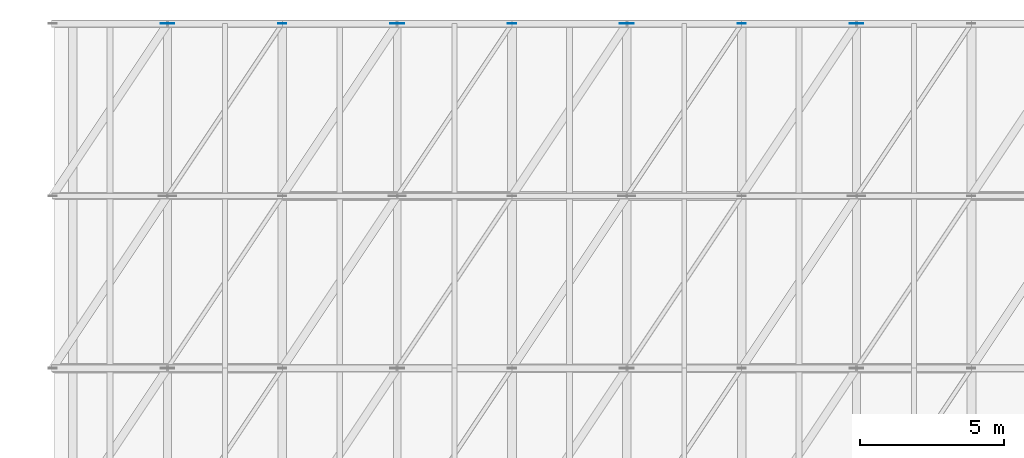
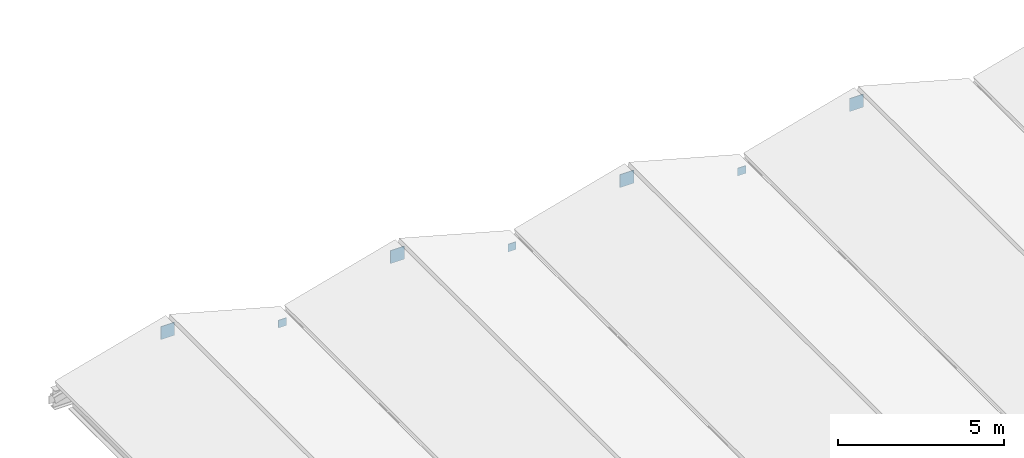
# One storey, part 17 of 27: 7 plates.
"""IFC4 building model written with IfcOpenShell, lengths in metres."""

import ifcopenshell
import ifcopenshell.guid

model = None  # the IFC model being written
_history = None  # IfcOwnerHistory: only IFC2X3 demands one
_inside = {}  # id of a spatial element -> (the spatial element, [elements in it])
_under = {}  # id of a project, library or spatial element -> (it, [spatial elements below it])
_declared = {}  # id of a project -> (the project, [libraries it declares])
_typed = {}  # id of a type object -> (the type object, [elements of that type])
_made_of = {}  # id of a material, layer set ... -> (it, [elements and type objects made of it])


def new_model(schema):
    """Start an empty IFC model of exactly this schema.

    Asked for "IFC4X3", IfcOpenShell would pick the latest addendum, in which some entities
    have other attributes; the version numbers below select the first issue.
    IFC2X3 requires an IfcOwnerHistory on every rooted entity: one is made here for all.
    """
    global model, _history
    if schema == "IFC4X3":
        model = ifcopenshell.file(schema_version=(4, 3, 0, 0))
    else:
        model = ifcopenshell.file(schema=schema)
    _inside.clear()
    _under.clear()
    _declared.clear()
    _typed.clear()
    _made_of.clear()
    _history = None
    if model.schema == "IFC2X3":
        org = make("IfcOrganization", Name="unknown")
        user = make(
            "IfcPersonAndOrganization",
            ThePerson=make("IfcPerson", FamilyName="unknown"),
            TheOrganization=org,
        )
        app = make(
            "IfcApplication",
            ApplicationDeveloper=org,
            Version="unknown",
            ApplicationFullName="unknown",
            ApplicationIdentifier="unknown",
        )
        _history = make(
            "IfcOwnerHistory",
            OwningUser=user,
            OwningApplication=app,
            ChangeAction="ADDED",
            CreationDate=0,
        )
    return model


def make(cls, **values):
    """One entity of the class cls with the attributes given. An attribute that is None is left unset."""
    return model.create_entity(
        cls, **{name: value for name, value in values.items() if value is not None}
    )


def rooted(cls, **values):
    """An entity with a GlobalId (a new one), such as an element, a storey or a relation."""
    return make(cls, GlobalId=ifcopenshell.guid.new(), OwnerHistory=_history, **values)


def si_unit(unit_type, name, prefix=None):
    """IfcSIUnit, for example si_unit("LENGTHUNIT", "METRE", prefix="MILLI")."""
    return make("IfcSIUnit", UnitType=unit_type, Prefix=prefix, Name=name)


def assignment(units):
    """IfcUnitAssignment: the units of a project."""
    return None if units is None else make("IfcUnitAssignment", Units=units)


def point(xyz):
    """IfcCartesianPoint."""
    return None if xyz is None else make("IfcCartesianPoint", Coordinates=xyz)


def direction(xyz):
    """IfcDirection."""
    return None if xyz is None else make("IfcDirection", DirectionRatios=xyz)


def frame(location, z_axis=None, x_axis=None):
    """IfcAxis2Placement3D, a coordinate frame: its origin and axes. An axis left out is left unset."""
    return make(
        "IfcAxis2Placement3D",
        Location=point(location),
        Axis=direction(z_axis),
        RefDirection=direction(x_axis),
    )


def frame_2d(location, x_axis=None):
    """IfcAxis2Placement2D, a coordinate frame in the plane: its origin and x axis."""
    return make(
        "IfcAxis2Placement2D", Location=point(location), RefDirection=direction(x_axis)
    )


def origin():
    """The frame at (0, 0, 0) with its axes left unset."""
    return frame((0.0, 0.0, 0.0))


def origin_2d():
    """The frame at (0, 0) in the plane with its x axis left unset."""
    return frame_2d((0.0, 0.0))


def place(relative_to, where):
    """IfcLocalPlacement: puts the frame where relative to a parent placement (None: the world)."""
    return make(
        "IfcLocalPlacement", PlacementRelTo=relative_to, RelativePlacement=where
    )


def context(
    kind, dimensions, precision=None, world=None, true_north=None, identifier=None
):
    """IfcGeometricRepresentationContext, for example the 3D "Model" context."""
    return make(
        "IfcGeometricRepresentationContext",
        ContextIdentifier=identifier,
        ContextType=kind,
        CoordinateSpaceDimension=dimensions,
        Precision=precision,
        WorldCoordinateSystem=world,
        TrueNorth=true_north,
    )


def subcontext(parent, identifier, kind, view, scale=None):
    """IfcGeometricRepresentationSubContext, for example "Body" below "Model"."""
    return make(
        "IfcGeometricRepresentationSubContext",
        ContextIdentifier=identifier,
        ContextType=kind,
        ParentContext=parent,
        TargetScale=scale,
        TargetView=view,
    )


def project(units=None, contexts=None):
    """IfcProject with its units and contexts."""
    return rooted(
        "IfcProject",
        Name="project",
        RepresentationContexts=contexts,
        UnitsInContext=assignment(units),
    )


def spatial(cls, under=None, at=None, **own):
    """A site, building, storey or space (cls), placed at a placement, below another one or the project."""
    s = rooted(cls, ObjectPlacement=at, **own)
    if under is not None:
        _under.setdefault(under.id(), (under, []))[1].append(s)
    return s


def profile(cls, at=None, kind="AREA", **sizes):
    """A parametric profile (cls). Its sizes go by their IFC names, for example OverallWidth=200.0."""
    return make(cls, ProfileType=kind, Position=at, **sizes)


def rectangle(**sizes):
    """IfcRectangleProfileDef."""
    return profile("IfcRectangleProfileDef", **sizes)


def extrude(swept, where, along, depth):
    """IfcExtrudedAreaSolid: the profile swept, set in the frame where, extruded along a direction by depth."""
    return make(
        "IfcExtrudedAreaSolid",
        SweptArea=swept,
        Position=where,
        ExtrudedDirection=direction(along),
        Depth=depth,
    )


def shape(context_of_items, identifier, shape_type, items):
    """IfcShapeRepresentation: the items that make up one representation, for example the "Body"."""
    return make(
        "IfcShapeRepresentation",
        ContextOfItems=context_of_items,
        RepresentationIdentifier=identifier,
        RepresentationType=shape_type,
        Items=items,
    )


def material(Name=None, Category=None):
    """IfcMaterial."""
    return make("IfcMaterial", Name=Name, Category=Category)


def layer(
    of_material, thickness, ventilated=None, Name=None, Category=None, Priority=None
):
    """IfcMaterialLayer: one layer of a wall or slab, of a material (None: an air gap)."""
    return make(
        "IfcMaterialLayer",
        Material=of_material,
        LayerThickness=thickness,
        IsVentilated=ventilated,
        Name=Name,
        Category=Category,
        Priority=Priority,
    )


def layer_set(layers, Name=None):
    """IfcMaterialLayerSet."""
    return make("IfcMaterialLayerSet", MaterialLayers=layers, LayerSetName=Name)


def made_of(thing, what):
    """Note that an element or type object is made of a material, layer set ...; save() writes the relation."""
    if what is not None:
        _made_of.setdefault(what.id(), (what, []))[1].append(thing)
    return thing


def type_object(cls, material=None, **own):
    """A type object (cls), such as IfcWallType, which elements share."""
    return made_of(rooted(cls, **own), material)


def element(
    cls,
    number,
    at=None,
    inside=None,
    cuts=None,
    type_object=None,
    material=None,
    context=None,
    identifier="Body",
    shape_type=None,
    held_by="IfcProductDefinitionShape",
    body=None,
    shapes=None,
    **own,
):
    """One element of the class cls, such as IfcWall. Its Tag is "e" and its number.

    at: its placement. inside: the storey or other place that contains it. cuts: it is an
    opening in that element (IfcRelVoidsElement). A single representation is given by context,
    identifier, shape_type and body (its items); several are given by shapes. held_by: the class
    of the entity that holds the representations. save() writes the other relations.
    """
    e = rooted(cls, Tag="e%d" % number, ObjectPlacement=at, **own)
    if body is not None:
        shapes = [shape(context, identifier, shape_type, body)]
    if shapes is not None:
        e.Representation = make(held_by, Representations=shapes)
    if inside is not None:
        _inside.setdefault(inside.id(), (inside, []))[1].append(e)
    if cuts is not None:
        rooted(
            "IfcRelVoidsElement", RelatingBuildingElement=cuts, RelatedOpeningElement=e
        )
    if type_object is not None:
        _typed.setdefault(type_object.id(), (type_object, []))[1].append(e)
    return made_of(e, material)


def aggregate(whole, parts):
    """IfcRelAggregates: a whole, such as a stair, and the parts it consists of."""
    return rooted("IfcRelAggregates", RelatingObject=whole, RelatedObjects=parts)


def save(model, path):
    """Write the relations noted so far, then the file.

    IfcRelAggregates (storeys below a building ...), IfcRelContainedInSpatialStructure (elements
    in a storey), IfcRelDefinesByType, IfcRelAssociatesMaterial and IfcRelDeclares: one each for
    every whole, place, type object, material and project.
    """
    for whole, parts in _under.values():
        aggregate(whole, parts)
    for where, things in _inside.values():
        rooted(
            "IfcRelContainedInSpatialStructure",
            RelatedElements=things,
            RelatingStructure=where,
        )
    for kind, things in _typed.values():
        rooted("IfcRelDefinesByType", RelatedObjects=things, RelatingType=kind)
    for what, things in _made_of.values():
        rooted("IfcRelAssociatesMaterial", RelatedObjects=things, RelatingMaterial=what)
    for by, libraries in _declared.values():
        rooted("IfcRelDeclares", RelatingContext=by, RelatedDefinitions=libraries)
    model.write(path)


model = new_model("IFC4")

# Units and contexts
model_context = context("Model", 3, precision=1e-05, world=origin(), true_north=direction((0.0, 1.0)))
body_context = subcontext(model_context, "Body", "Model", "MODEL_VIEW")
ifc_project = project(units=[si_unit("LENGTHUNIT", "METRE"), si_unit("AREAUNIT", "SQUARE_METRE"), si_unit("VOLUMEUNIT", "CUBIC_METRE"), si_unit("PLANEANGLEUNIT", "RADIAN"), si_unit("MASSUNIT", "GRAM", prefix="KILO")], contexts=[model_context])

# Site, building, storey
site_placement = place(None, origin())
site = spatial("IfcSite", under=ifc_project, at=site_placement, CompositionType="ELEMENT")
building_placement = place(site_placement, origin())
building = spatial("IfcBuilding", under=site, at=building_placement, Name="Verrall Gate Interchange", CompositionType="ELEMENT")
storey_placement = place(building_placement, frame((0.0, 0.0, 32.800048828125)))
storey = spatial("IfcBuildingStorey", under=building, at=storey_placement, Name="RF", CompositionType="ELEMENT", Elevation=32.800048828125)

# Plates
ifc_material = material(Name="Structural Steel CSA G40.21 350WT Cat 4", Category="steel")
ifc_layer = layer(ifc_material, 0.02001953125)
ifc_layer_set = layer_set([ifc_layer], Name="Structural Steel CSA G40.21 350WT Cat 4")
plate_type = type_object("IfcPlateType", Name="GP-01 Gusset Plate 20", PredefinedType="SHEET", material=ifc_layer_set)
for number, where, z_axis, x_axis, name in (
    (1, (40.0, 48.0, -15.9482421875), (0.0, 0.0, 1.0), (1.0, 0.0, 0.0), "Folded-Plate Ridge Gusset Node KN-R1-6"),
    (2, (48.0, 48.0, -15.9482421875), (0.0, 0.0, 1.0), (1.0, 0.0, 0.0), "Folded-Plate Ridge Gusset Node KN-R2-6"),
):
    element("IfcPlate", number, at=place(storey_placement, frame(where, z_axis=z_axis, x_axis=x_axis)), inside=storey, type_object=plate_type, Name=name, PredefinedType="SHEET", context=body_context, shape_type="SweptSolid", body=[
        extrude(rectangle(XDim=0.47998046875, YDim=0.02001953125, at=origin_2d()), origin(), (0.0, 0.0, 1.0), 0.47998046875),
    ])
plate_1_placement = place(storey_placement, frame((44.0, 48.0, -16.9482421875), z_axis=(0.0, 0.0, 1.0), x_axis=(1.0, 0.0, 0.0)))
element("IfcPlate", 3, at=plate_1_placement, inside=storey, type_object=plate_type, Name="Folded-Plate Valley Gusset Node KN-V2-0-6", PredefinedType="SHEET", context=body_context, shape_type="SweptSolid", body=[
    extrude(rectangle(XDim=0.280029296875, YDim=0.02001953125, at=origin_2d()), origin(), (0.0, 0.0, 1.0), 0.280029296875),
])
plate_2_placement = place(storey_placement, frame((56.0, 48.0, -15.9482421875), z_axis=(0.0, 0.0, 1.0), x_axis=(1.0, 0.0, 0.0)))
element("IfcPlate", 4, at=plate_2_placement, inside=storey, type_object=plate_type, Name="Folded-Plate Ridge Gusset Node KN-R3-6", PredefinedType="SHEET", context=body_context, shape_type="SweptSolid", body=[
    extrude(rectangle(XDim=0.47998046875, YDim=0.02001953125, at=origin_2d()), origin(), (0.0, 0.0, 1.0), 0.47998046875),
])
plate_3_placement = place(storey_placement, frame((52.0, 48.0, -16.9482421875), z_axis=(0.0, 0.0, 1.0), x_axis=(1.0, 0.0, 0.0)))
element("IfcPlate", 5, at=plate_3_placement, inside=storey, type_object=plate_type, Name="Folded-Plate Valley Gusset Node KN-V3-0-6", PredefinedType="SHEET", context=body_context, shape_type="SweptSolid", body=[
    extrude(rectangle(XDim=0.280029296875, YDim=0.02001953125, at=origin_2d()), origin(), (0.0, 0.0, 1.0), 0.280029296875),
])
plate_4_placement = place(storey_placement, frame((64.0, 48.0, -15.9482421875), z_axis=(0.0, 0.0, 1.0), x_axis=(1.0, 0.0, 0.0)))
element("IfcPlate", 6, at=plate_4_placement, inside=storey, type_object=plate_type, Name="Folded-Plate Ridge Gusset Node KN-R4-6", PredefinedType="SHEET", context=body_context, shape_type="SweptSolid", body=[
    extrude(rectangle(XDim=0.47998046875, YDim=0.02001953125, at=origin_2d()), origin(), (0.0, 0.0, 1.0), 0.47998046875),
])
plate_5_placement = place(storey_placement, frame((60.0, 48.0, -16.9482421875), z_axis=(0.0, 0.0, 1.0), x_axis=(1.0, 0.0, 0.0)))
element("IfcPlate", 7, at=plate_5_placement, inside=storey, type_object=plate_type, Name="Folded-Plate Valley Gusset Node KN-V4-0-6", PredefinedType="SHEET", context=body_context, shape_type="SweptSolid", body=[
    extrude(rectangle(XDim=0.280029296875, YDim=0.02001953125, at=origin_2d()), origin(), (0.0, 0.0, 1.0), 0.280029296875),
])

save(model, "model.ifc")
